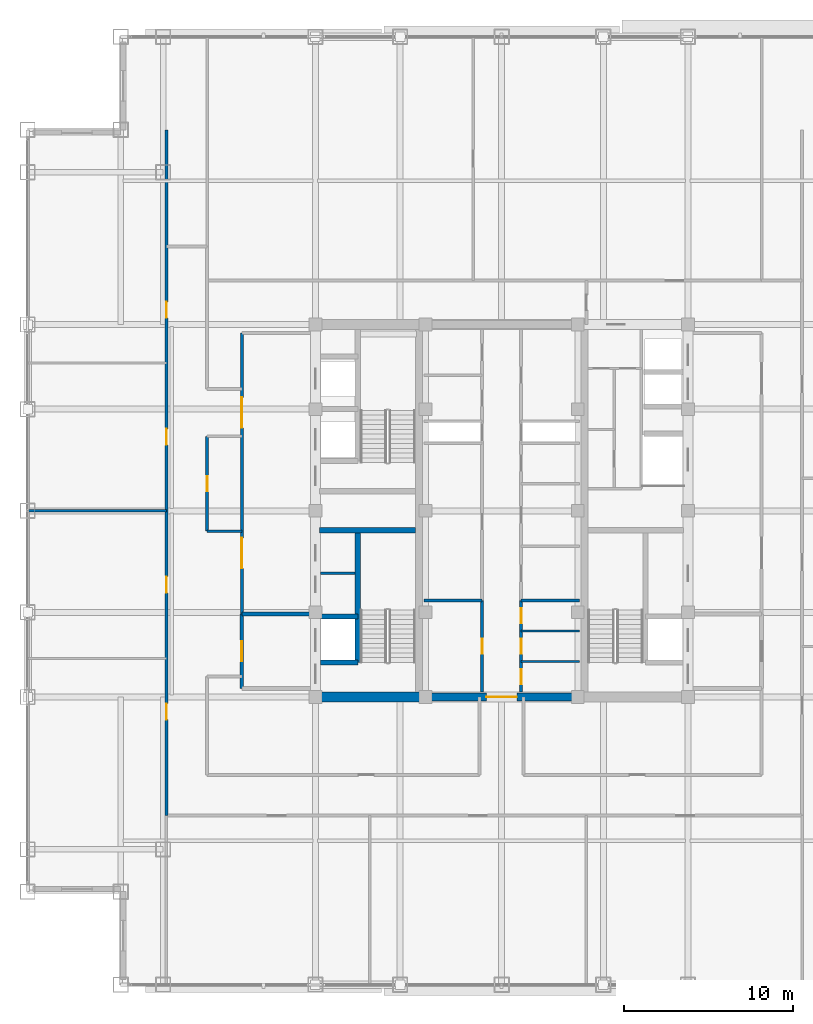
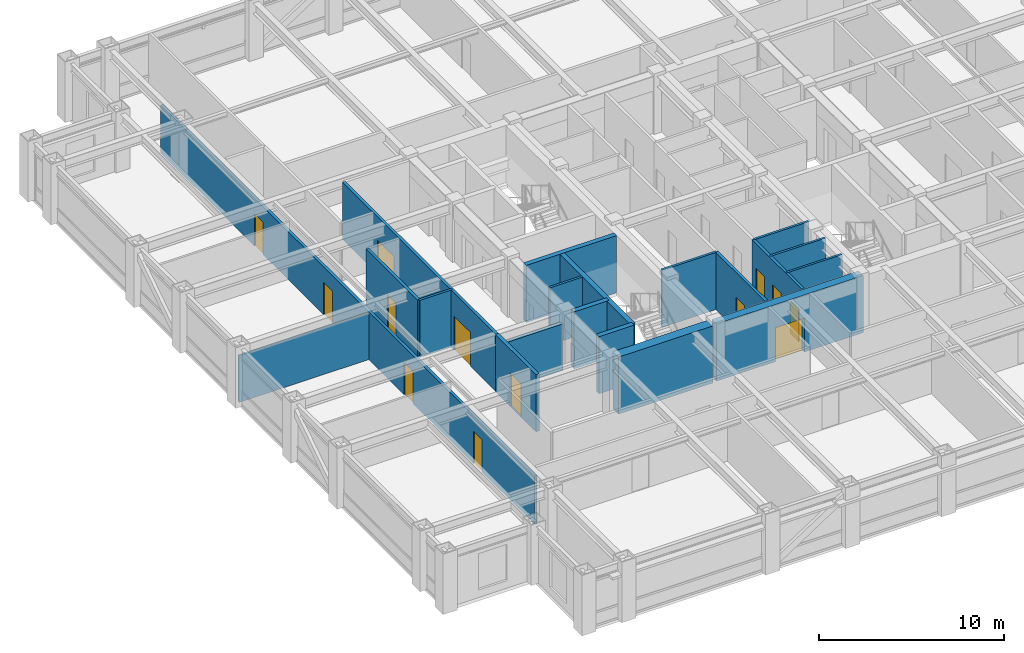
# One storey, part 18 of 27: 20 walls, 13 doors, 13 openings.
"""IFC4 building model written with IfcOpenShell, lengths in metres."""

from ifc_helpers import new_model, si_unit, direction, frame, frame_2d, origin, place, context, subcontext, project, spatial, rectangle, extrude, source, transform, mapped, material, layer, layer_set, type_object, element, fill, save


model = new_model("IFC4")

# Units and contexts
model_context = context("Model", 3, precision=1e-05, world=origin(), true_north=direction((0.0, 1.0)))
body_context = subcontext(model_context, "Body", "Model", "MODEL_VIEW")
ifc_project = project(units=[si_unit("LENGTHUNIT", "METRE"), si_unit("AREAUNIT", "SQUARE_METRE"), si_unit("VOLUMEUNIT", "CUBIC_METRE"), si_unit("PLANEANGLEUNIT", "RADIAN"), si_unit("MASSUNIT", "GRAM", prefix="KILO")], contexts=[model_context])

# Site, building, storey
site_placement = place(None, origin())
site = spatial("IfcSite", under=ifc_project, at=site_placement, CompositionType="ELEMENT")
building_placement = place(site_placement, origin())
building = spatial("IfcBuilding", under=site, at=building_placement, Name="Khorayat Bourse Tower", CompositionType="ELEMENT")
storey_placement = place(building_placement, frame((0.0, 0.0, 313.5)))
storey = spatial("IfcBuildingStorey", under=building, at=storey_placement, Name="L74", CompositionType="ELEMENT", Elevation=313.5)

# Walls
ifc_material_1 = material(Name="Concrete C60/75", Category="concrete")
ifc_layer_1 = layer(ifc_material_1, 0.60009765625)
ifc_layer_set_1 = layer_set([ifc_layer_1], Name="Concrete C60/75")
wall_type_1 = type_object("IfcWallType", Name="WAL-CORE-600", PredefinedType="SHEAR", material=ifc_layer_set_1)
shared_shape_1 = source(origin(), body_context, "Body", "SweptSolid", [
    extrude(rectangle(XDim=5.89990234375, YDim=0.60009765625, at=frame_2d((2.949951171875, 0.0))), origin(), (0.0, 0.0, 1.0), 3.780029296875),
])
wall_1_placement = place(storey_placement, frame((-10.75, -11.0, 0.0), z_axis=(0.0, 0.0, 1.0), x_axis=(1.0, 0.0, 0.0)))
element("IfcWall", 1, at=wall_1_placement, inside=storey, type_object=wall_type_1, Name="L74 Core Shear Wall PIER-WS", PredefinedType="SHEAR", context=body_context, shape_type="MappedRepresentation", body=[
    mapped(shared_shape_1, transform((0.0, 0.0, 0.0), scale=1.0)),
])
ifc_material_2 = material(Name="Concrete C50/60", Category="concrete")
ifc_layer_2 = layer(ifc_material_2, 0.300048828125)
ifc_layer_set_2 = layer_set([ifc_layer_2], Name="Concrete C50/60")
wall_type_2 = type_object("IfcWallType", Name="WAL-SHAFT-300", PredefinedType="SHEAR", material=ifc_layer_set_2)
shared_shape_2 = source(origin(), body_context, "Body", "SweptSolid", [
    extrude(rectangle(XDim=5.64990234375, YDim=0.300048828125, at=frame_2d((2.824951171875, 0.0))), origin(), (0.0, 0.0, 1.0), 3.780029296875),
])
wall_2_placement = place(storey_placement, frame((-10.75, -1.14990234375, 0.0), z_axis=(0.0, 0.0, 1.0), x_axis=(1.0, 0.0, 0.0)))
element("IfcWall", 2, at=wall_2_placement, inside=storey, type_object=wall_type_2, Name="L74 Core Shear Wall ST1-DIV", PredefinedType="SHEAR", context=body_context, shape_type="MappedRepresentation", body=[
    mapped(shared_shape_2, transform((0.0, 0.0, 0.0), scale=1.0)),
])

# Wall, opening, door
ifc_material_3 = material(Name="Concrete C52/65", Category="concrete")
ifc_layer_3 = layer(ifc_material_3, 0.5)
ifc_layer_set_3 = layer_set([ifc_layer_3], Name="Concrete C52/65")
wall_type_3 = type_object("IfcWallType", Name="WAL-CORE-500", PredefinedType="SHEAR", material=ifc_layer_set_3)
shared_shape_3 = source(origin(), body_context, "Body", "SweptSolid", [
    extrude(rectangle(XDim=9.2001953125, YDim=0.5, at=frame_2d((4.60009765625, 0.0))), origin(), (0.0, 0.0, 1.0), 3.780029296875),
])
wall_3_placement = place(storey_placement, frame((-4.60009765625, -11.0, 0.0), z_axis=(0.0, 0.0, 1.0), x_axis=(1.0, 0.0, 0.0)))
wall_3 = element("IfcWall", 3, at=wall_3_placement, inside=storey, type_object=wall_type_3, Name="L74 Core Shear Wall CORE-S", PredefinedType="SHEAR", context=body_context, shape_type="MappedRepresentation", body=[
    mapped(shared_shape_3, transform((0.0, 0.0, 0.0), scale=1.0)),
])
shared_shape_4 = source(origin(), body_context, "Body", "SweptSolid", [
    extrude(rectangle(XDim=1.800048828125, YDim=2.25, at=frame_2d((0.89990234375, 1.125))), frame((0.0, 0.260009765625, 0.0), z_axis=(0.0, -1.0, 0.0), x_axis=(1.0, 0.0, 0.0)), (0.0, 0.0, 1.0), 0.52001953125),
])
opening_1_placement = place(wall_3_placement, frame((3.699951171875, 0.0, 0.0)))
opening_1 = element("IfcOpeningElement", 4, at=opening_1_placement, cuts=wall_3, Name="Opening DI-03", PredefinedType="OPENING", context=body_context, shape_type="MappedRepresentation", body=[
    mapped(shared_shape_4, transform((0.0, 0.0, 0.0), scale=1.0)),
])
ifc_material_4 = material(Name="Fire-rated hardwood vision-panel double leaf", Category="wood")
door_type_1 = type_object("IfcDoorType", Name="DR-INT-CORR-1800", OperationType="NOTDEFINED", PredefinedType="DOOR", material=ifc_material_4)
shared_shape_5 = source(origin(), body_context, "Body", "SweptSolid", [
    extrude(rectangle(XDim=1.800048828125, YDim=2.25, at=frame_2d((0.89990234375, 1.125))), frame((0.0, 0.02490234375, 0.0), z_axis=(0.0, -1.0, 0.0), x_axis=(1.0, 0.0, 0.0)), (0.0, 0.0, 1.0), 0.050048828125),
])
door_1_placement = place(opening_1_placement, origin())
door_1 = element("IfcDoor", 5, at=door_1_placement, inside=storey, type_object=door_type_1, Name="L74 Central Core South Passage Door", OperationType="SINGLE_SWING_LEFT", OverallHeight=2.25, OverallWidth=1.800048828125, PredefinedType="DOOR", context=body_context, shape_type="MappedRepresentation", body=[
    mapped(shared_shape_5, transform((0.0, 0.0, 0.0), scale=1.0)),
])
fill(opening_1, door_1)

# Walls
ifc_material_5 = material(Name="Aerated concrete blockwork", Category="masonry")
ifc_layer_4 = layer(ifc_material_5, 0.219970703125)
ifc_layer_set_4 = layer_set([ifc_layer_4], Name="Aerated concrete blockwork")
wall_type_4 = type_object("IfcWallType", Name="WAL-PART-FF-220", PredefinedType="PARTITIONING", material=ifc_layer_set_4)
shared_shape_6 = source(origin(), body_context, "Body", "SweptSolid", [
    extrude(rectangle(XDim=4.050048828125, YDim=0.219970703125, at=frame_2d((2.02490234375, 0.0))), origin(), (0.0, 0.0, 1.0), 3.0849609375),
])
wall_4_placement = place(storey_placement, frame((-15.35009765625, -6.10009765625, 0.0), z_axis=(0.0, 0.0, 1.0), x_axis=(1.0, 0.0, 0.0)))
element("IfcWall", 6, at=wall_4_placement, inside=storey, type_object=wall_type_4, Name="L74 Partition WAL-L74-FFLW-N", PredefinedType="PARTITIONING", context=body_context, shape_type="MappedRepresentation", body=[
    mapped(shared_shape_6, transform((0.0, 0.0, 0.0), scale=1.0)),
])
shared_shape_7 = source(origin(), body_context, "Body", "SweptSolid", [
    extrude(rectangle(XDim=7.800048828125, YDim=0.300048828125, at=frame_2d((3.89990234375, 0.0))), origin(), (0.0, 0.0, 1.0), 3.780029296875),
])
wall_5_placement = place(storey_placement, frame((-8.5, -8.949951171875, 0.0), z_axis=(0.0, 0.0, 1.0), x_axis=(0.0, 1.0, 0.0)))
element("IfcWall", 7, at=wall_5_placement, inside=storey, type_object=wall_type_2, Name="L74 Partition WAL-L74-WPIER-SP", PredefinedType="SHEAR", context=body_context, shape_type="MappedRepresentation", body=[
    mapped(shared_shape_7, transform((0.0, 0.0, 0.0), scale=1.0)),
])
shared_shape_8 = source(origin(), body_context, "Body", "SweptSolid", [
    extrude(rectangle(XDim=2.199951171875, YDim=0.300048828125, at=frame_2d((1.10009765625, 0.0))), origin(), (0.0, 0.0, 1.0), 3.780029296875),
])
for number, where, z_axis, x_axis, name in (
    (8, (-10.699951171875, -8.949951171875, 0.0), (0.0, 0.0, 1.0), (1.0, 0.0, 0.0), "L74 Partition WAL-L74-WPIER-FF1S"),
    (9, (-10.699951171875, -6.25, 0.0), (0.0, 0.0, 1.0), (1.0, 0.0, 0.0), "L74 Partition WAL-L74-WPIER-FF1N"),
):
    element("IfcWall", number, at=place(storey_placement, frame(where, z_axis=z_axis, x_axis=x_axis)), inside=storey, type_object=wall_type_2, Name=name, PredefinedType="SHEAR", context=body_context, shape_type="MappedRepresentation", body=[
        mapped(shared_shape_8, transform((0.0, 0.0, 0.0), scale=1.0)),
    ])
ifc_material_6 = material(Name="Gypsum plasterboard twin-frame partition")
ifc_layer_5 = layer(ifc_material_6, 0.14990234375)
ifc_layer_set_5 = layer_set([ifc_layer_5], Name="Gypsum plasterboard twin-frame partition")
wall_type_5 = type_object("IfcWallType", Name="WAL-PART-SUITE-150", PredefinedType="PARTITIONING", material=ifc_layer_set_5)
shared_shape_9 = source(origin(), body_context, "Body", "SweptSolid", [
    extrude(rectangle(XDim=2.050048828125, YDim=0.14990234375, at=frame_2d((1.02490234375, 0.0))), origin(), (0.0, 0.0, 1.0), 3.780029296875),
])
wall_6_placement = place(storey_placement, frame((-10.699951171875, -3.699951171875, 0.0), z_axis=(0.0, 0.0, 1.0), x_axis=(1.0, 0.0, 0.0)))
element("IfcWall", 10, at=wall_6_placement, inside=storey, type_object=wall_type_5, Name="L74 Partition WAL-L74-WSRV-D1", PredefinedType="PARTITIONING", context=body_context, shape_type="MappedRepresentation", body=[
    mapped(shared_shape_9, transform((0.0, 0.0, 0.0), scale=1.0)),
])

# Wall, opening, door
shared_shape_10 = source(origin(), body_context, "Body", "SweptSolid", [
    extrude(rectangle(XDim=4.39990234375, YDim=0.219970703125, at=frame_2d((2.199951171875, 0.0))), origin(), (0.0, 0.0, 1.0), 3.780029296875),
])
wall_7_placement = place(storey_placement, frame((-15.35009765625, -10.5, 0.0), z_axis=(0.0, 0.0, 1.0), x_axis=(0.0, 1.0, 0.0)))
wall_7 = element("IfcWall", 11, at=wall_7_placement, inside=storey, type_object=wall_type_4, Name="L74 Partition WAL-L74-FFLW-W", PredefinedType="PARTITIONING", context=body_context, shape_type="MappedRepresentation", body=[
    mapped(shared_shape_10, transform((0.0, 0.0, 0.0), scale=1.0)),
])
shared_shape_11 = source(origin(), body_context, "Body", "SweptSolid", [
    extrude(rectangle(XDim=1.199951171875, YDim=2.199951171875, at=frame_2d((0.60009765625, 1.10009765625))), frame((0.0, 0.119873046875, 0.0), z_axis=(0.0, -1.0, 0.0), x_axis=(1.0, 0.0, 0.0)), (0.0, 0.0, 1.0), 0.239990234375),
])
opening_2_placement = place(wall_7_placement, frame((1.60009765625, 0.0, 0.0)))
opening_2 = element("IfcOpeningElement", 12, at=opening_2_placement, cuts=wall_7, Name="Opening DI-02", PredefinedType="OPENING", context=body_context, shape_type="MappedRepresentation", body=[
    mapped(shared_shape_11, transform((0.0, 0.0, 0.0), scale=1.0)),
])
ifc_material_7 = material(Name="Fire-rated steel double-seal leaf", Category="steel")
door_type_2 = type_object("IfcDoorType", Name="DR-INT-FFLOBBY-1200", OperationType="NOTDEFINED", PredefinedType="DOOR", material=ifc_material_7)
shared_shape_12 = source(origin(), body_context, "Body", "SweptSolid", [
    extrude(rectangle(XDim=1.199951171875, YDim=2.199951171875, at=frame_2d((0.60009765625, 1.10009765625))), frame((0.0, 0.02490234375, 0.0), z_axis=(0.0, -1.0, 0.0), x_axis=(1.0, 0.0, 0.0)), (0.0, 0.0, 1.0), 0.050048828125),
])
door_2_placement = place(opening_2_placement, origin())
door_2 = element("IfcDoor", 13, at=door_2_placement, inside=storey, type_object=door_type_2, Name="L74 West Firefighting Lobby Door", OperationType="SINGLE_SWING_LEFT", OverallHeight=2.199951171875, OverallWidth=1.199951171875, PredefinedType="DOOR", context=body_context, shape_type="MappedRepresentation", body=[
    mapped(shared_shape_12, transform((0.0, 0.0, 0.0), scale=1.0)),
])
fill(opening_2, door_2)

# Wall, openings, doors
ifc_material_8 = material(Name="Gypsum plasterboard acoustic stud wall")
ifc_layer_6 = layer(ifc_material_8, 0.179931640625)
ifc_layer_set_6 = layer_set([ifc_layer_6], Name="Gypsum plasterboard acoustic stud wall")
wall_type_6 = type_object("IfcWallType", Name="WAL-PART-CORR-180", PredefinedType="PARTITIONING", material=ifc_layer_set_6)
shared_shape_13 = source(origin(), body_context, "Body", "SweptSolid", [
    extrude(rectangle(XDim=16.60009765625, YDim=0.179931640625, at=frame_2d((8.300048828125, 0.0))), origin(), (0.0, 0.0, 1.0), 3.780029296875),
])
wall_8_placement = place(storey_placement, frame((-15.35009765625, -6.10009765625, 0.0), z_axis=(0.0, 0.0, 1.0), x_axis=(0.0, 1.0, 0.0)))
wall_8 = element("IfcWall", 14, at=wall_8_placement, inside=storey, type_object=wall_type_6, Name="L74 Partition WAL-L74-WLOB-W", PredefinedType="PARTITIONING", context=body_context, shape_type="MappedRepresentation", body=[
    mapped(shared_shape_13, transform((0.0, 0.0, 0.0), scale=1.0)),
])
shared_shape_14 = source(origin(), body_context, "Body", "SweptSolid", [
    extrude(rectangle(XDim=1.800048828125, YDim=2.25, at=frame_2d((0.89990234375, 1.125))), frame((0.0, 0.099853515625, 0.0), z_axis=(0.0, -1.0, 0.0), x_axis=(1.0, 0.0, 0.0)), (0.0, 0.0, 1.0), 0.199951171875),
])
opening_3_placement = place(wall_8_placement, frame((2.699951171875, 0.0, 0.0)))
opening_3 = element("IfcOpeningElement", 15, at=opening_3_placement, cuts=wall_8, Name="Opening DI-03", PredefinedType="OPENING", context=body_context, shape_type="MappedRepresentation", body=[
    mapped(shared_shape_14, transform((0.0, 0.0, 0.0), scale=1.0)),
])
opening_4_placement = place(wall_8_placement, frame((11.0, 0.0, 0.0)))
opening_4 = element("IfcOpeningElement", 16, at=opening_4_placement, cuts=wall_8, Name="Opening DI-03", PredefinedType="OPENING", context=body_context, shape_type="MappedRepresentation", body=[
    mapped(shared_shape_14, transform((0.0, 0.0, 0.0), scale=1.0)),
])
door_3_placement = place(opening_3_placement, origin())
door_3 = element("IfcDoor", 17, at=door_3_placement, inside=storey, type_object=door_type_1, Name="L74 West Core Lobby South Door", OperationType="SINGLE_SWING_LEFT", OverallHeight=2.25, OverallWidth=1.800048828125, PredefinedType="DOOR", context=body_context, shape_type="MappedRepresentation", body=[
    mapped(shared_shape_5, transform((0.0, 0.0, 0.0), scale=1.0)),
])
fill(opening_3, door_3)
door_4_placement = place(opening_4_placement, origin())
door_4 = element("IfcDoor", 18, at=door_4_placement, inside=storey, type_object=door_type_1, Name="L74 West Core Lobby North Door", OperationType="SINGLE_SWING_RIGHT", OverallHeight=2.25, OverallWidth=1.800048828125, PredefinedType="DOOR", context=body_context, shape_type="MappedRepresentation", body=[
    mapped(shared_shape_5, transform((0.0, 0.0, 0.0), scale=1.0)),
])
fill(opening_4, door_4)

# Walls
shared_shape_15 = source(origin(), body_context, "Body", "SweptSolid", [
    extrude(rectangle(XDim=3.4501953125, YDim=0.14990234375, at=frame_2d((1.72509765625, 0.0))), origin(), (0.0, 0.0, 1.0), 3.780029296875),
])
for number, where, z_axis, x_axis, name in (
    (19, (-4.60009765625, -5.300048828125, 0.0), (0.0, 0.0, 1.0), (1.0, 0.0, 0.0), "L74 Partition WAL-L74-FB1-NW"),
    (20, (1.14990234375, -5.300048828125, 0.0), (0.0, 0.0, 1.0), (1.0, 0.0, 0.0), "L74 Partition WAL-L74-FB1-NE"),
):
    element("IfcWall", number, at=place(storey_placement, frame(where, z_axis=z_axis, x_axis=x_axis)), inside=storey, type_object=wall_type_5, Name=name, PredefinedType="PARTITIONING", context=body_context, shape_type="MappedRepresentation", body=[
        mapped(shared_shape_15, transform((0.0, 0.0, 0.0), scale=1.0)),
    ])

# Wall, opening, door
shared_shape_16 = source(origin(), body_context, "Body", "SweptSolid", [
    extrude(rectangle(XDim=5.39990234375, YDim=0.179931640625, at=frame_2d((2.699951171875, 0.0))), origin(), (0.0, 0.0, 1.0), 3.780029296875),
])
wall_9_placement = place(storey_placement, frame((-1.14990234375, -10.699951171875, 0.0), z_axis=(0.0, 0.0, 1.0), x_axis=(0.0, 1.0, 0.0)))
wall_9 = element("IfcWall", 21, at=wall_9_placement, inside=storey, type_object=wall_type_6, Name="L74 Partition WAL-L74-FB1W-L", PredefinedType="PARTITIONING", context=body_context, shape_type="MappedRepresentation", body=[
    mapped(shared_shape_16, transform((0.0, 0.0, 0.0), scale=1.0)),
])
shared_shape_17 = source(origin(), body_context, "Body", "SweptSolid", [
    extrude(rectangle(XDim=0.89990234375, YDim=2.14990234375, at=frame_2d((0.449951171875, 1.074951171875))), frame((0.0, 0.099853515625, 0.0), z_axis=(0.0, -1.0, 0.0), x_axis=(1.0, 0.0, 0.0)), (0.0, 0.0, 1.0), 0.199951171875),
])
opening_5_placement = place(wall_9_placement, frame((2.25, 0.0, 0.0)))
opening_5 = element("IfcOpeningElement", 22, at=opening_5_placement, cuts=wall_9, Name="Opening DI-06", PredefinedType="OPENING", context=body_context, shape_type="MappedRepresentation", body=[
    mapped(shared_shape_17, transform((0.0, 0.0, 0.0), scale=1.0)),
])
ifc_material_9 = material(Name="Moisture-resistant laminate washroom door")
door_type_3 = type_object("IfcDoorType", Name="DR-INT-WC-900", OperationType="NOTDEFINED", PredefinedType="DOOR", material=ifc_material_9)
shared_shape_18 = source(origin(), body_context, "Body", "SweptSolid", [
    extrude(rectangle(XDim=0.89990234375, YDim=2.14990234375, at=frame_2d((0.449951171875, 1.074951171875))), frame((0.0, 0.02490234375, 0.0), z_axis=(0.0, -1.0, 0.0), x_axis=(1.0, 0.0, 0.0)), (0.0, 0.0, 1.0), 0.050048828125),
])
door_5_placement = place(opening_5_placement, origin())
door_5 = element("IfcDoor", 23, at=door_5_placement, inside=storey, type_object=door_type_3, Name="L74 IT Comms Server Plant Room Door", OperationType="SINGLE_SWING_RIGHT", OverallHeight=2.14990234375, OverallWidth=0.89990234375, PredefinedType="DOOR", context=body_context, shape_type="MappedRepresentation", body=[
    mapped(shared_shape_18, transform((0.0, 0.0, 0.0), scale=1.0)),
])
fill(opening_5, door_5)

# Wall, openings, doors
wall_10_placement = place(storey_placement, frame((1.14990234375, -10.699951171875, 0.0), z_axis=(0.0, 0.0, 1.0), x_axis=(0.0, 1.0, 0.0)))
wall_10 = element("IfcWall", 24, at=wall_10_placement, inside=storey, type_object=wall_type_6, Name="L74 Partition WAL-L74-FB1E-L", PredefinedType="PARTITIONING", context=body_context, shape_type="MappedRepresentation", body=[
    mapped(shared_shape_16, transform((0.0, 0.0, 0.0), scale=1.0)),
])
opening_6_placement = place(wall_10_placement, frame((0.449951171875, 0.0, 0.0)))
opening_6 = element("IfcOpeningElement", 25, at=opening_6_placement, cuts=wall_10, Name="Opening DI-06", PredefinedType="OPENING", context=body_context, shape_type="MappedRepresentation", body=[
    mapped(shared_shape_17, transform((0.0, 0.0, 0.0), scale=1.0)),
])
opening_7_placement = place(wall_10_placement, frame((2.25, 0.0, 0.0)))
opening_7 = element("IfcOpeningElement", 26, at=opening_7_placement, cuts=wall_10, Name="Opening DI-06", PredefinedType="OPENING", context=body_context, shape_type="MappedRepresentation", body=[
    mapped(shared_shape_17, transform((0.0, 0.0, 0.0), scale=1.0)),
])
opening_8_placement = place(wall_10_placement, frame((4.050048828125, 0.0, 0.0)))
opening_8 = element("IfcOpeningElement", 27, at=opening_8_placement, cuts=wall_10, Name="Opening DI-06", PredefinedType="OPENING", context=body_context, shape_type="MappedRepresentation", body=[
    mapped(shared_shape_17, transform((0.0, 0.0, 0.0), scale=1.0)),
])
door_6_placement = place(opening_6_placement, origin())
door_6 = element("IfcDoor", 28, at=door_6_placement, inside=storey, type_object=door_type_3, Name="L74 Stationery Store Door", OperationType="SINGLE_SWING_RIGHT", OverallHeight=2.14990234375, OverallWidth=0.89990234375, PredefinedType="DOOR", context=body_context, shape_type="MappedRepresentation", body=[
    mapped(shared_shape_18, transform((0.0, 0.0, 0.0), scale=1.0)),
])
fill(opening_6, door_6)
door_7_placement = place(opening_7_placement, origin())
door_7 = element("IfcDoor", 29, at=door_7_placement, inside=storey, type_object=door_type_3, Name="L74 Meter Closet Door", OperationType="SINGLE_SWING_LEFT", OverallHeight=2.14990234375, OverallWidth=0.89990234375, PredefinedType="DOOR", context=body_context, shape_type="MappedRepresentation", body=[
    mapped(shared_shape_18, transform((0.0, 0.0, 0.0), scale=1.0)),
])
fill(opening_7, door_7)
door_8_placement = place(opening_8_placement, origin())
door_8 = element("IfcDoor", 30, at=door_8_placement, inside=storey, type_object=door_type_3, Name="L74 Print Room Door", OperationType="SINGLE_SWING_RIGHT", OverallHeight=2.14990234375, OverallWidth=0.89990234375, PredefinedType="DOOR", context=body_context, shape_type="MappedRepresentation", body=[
    mapped(shared_shape_18, transform((0.0, 0.0, 0.0), scale=1.0)),
])
fill(opening_8, door_8)

# Walls
ifc_material_10 = material(Name="Moisture-resistant masonry partition", Category="masonry")
ifc_layer_7 = layer(ifc_material_10, 0.139892578125)
ifc_layer_set_7 = layer_set([ifc_layer_7], Name="Moisture-resistant masonry partition")
wall_type_7 = type_object("IfcWallType", Name="WAL-PART-WET-140", PredefinedType="PARTITIONING", material=ifc_layer_set_7)
shared_shape_19 = source(origin(), body_context, "Body", "SweptSolid", [
    extrude(rectangle(XDim=3.4501953125, YDim=0.139892578125, at=frame_2d((1.72509765625, 0.0))), origin(), (0.0, 0.0, 1.0), 3.780029296875),
])
for number, where, z_axis, x_axis, name in (
    (31, (1.14990234375, -8.89990234375, 0.0), (0.0, 0.0, 1.0), (1.0, 0.0, 0.0), "L74 Partition WAL-L74-FB1E-D1"),
    (32, (1.14990234375, -7.10009765625, 0.0), (0.0, 0.0, 1.0), (1.0, 0.0, 0.0), "L74 Partition WAL-L74-FB1E-D2"),
):
    element("IfcWall", number, at=place(storey_placement, frame(where, z_axis=z_axis, x_axis=x_axis)), inside=storey, type_object=wall_type_7, Name=name, PredefinedType="PARTITIONING", context=body_context, shape_type="MappedRepresentation", body=[
        mapped(shared_shape_19, transform((0.0, 0.0, 0.0), scale=1.0)),
    ])

# Wall, opening, door
shared_shape_20 = source(origin(), body_context, "Body", "SweptSolid", [
    extrude(rectangle(XDim=5.599853515625, YDim=0.179931640625, at=frame_2d((2.7998046875, 0.0))), origin(), (0.0, 0.0, 1.0), 3.780029296875),
])
wall_11_placement = place(storey_placement, frame((-17.39990234375, -1.199951171875, 0.0), z_axis=(0.0, 0.0, 1.0), x_axis=(0.0, 1.0, 0.0)))
wall_11 = element("IfcWall", 33, at=wall_11_placement, inside=storey, type_object=wall_type_6, Name="L74 Partition WAL-L74-PKWM-W", PredefinedType="PARTITIONING", context=body_context, shape_type="MappedRepresentation", body=[
    mapped(shared_shape_20, transform((0.0, 0.0, 0.0), scale=1.0)),
])
opening_9_placement = place(wall_11_placement, frame((2.35009765625, 0.0, 0.0)))
opening_9 = element("IfcOpeningElement", 34, at=opening_9_placement, cuts=wall_11, Name="Opening DI-06", PredefinedType="OPENING", context=body_context, shape_type="MappedRepresentation", body=[
    mapped(shared_shape_17, transform((0.0, 0.0, 0.0), scale=1.0)),
])
door_9_placement = place(opening_9_placement, origin())
door_9 = element("IfcDoor", 35, at=door_9_placement, inside=storey, type_object=door_type_3, Name="L74 West Inboard Focus Door", OperationType="SINGLE_SWING_LEFT", OverallHeight=2.14990234375, OverallWidth=0.89990234375, PredefinedType="DOOR", context=body_context, shape_type="MappedRepresentation", body=[
    mapped(shared_shape_18, transform((0.0, 0.0, 0.0), scale=1.0)),
])
fill(opening_9, door_9)

# Walls
shared_shape_21 = source(origin(), body_context, "Body", "SweptSolid", [
    extrude(rectangle(XDim=2.0498046875, YDim=0.14990234375, at=frame_2d((1.02490234375, 0.0))), origin(), (0.0, 0.0, 1.0), 3.780029296875),
])
wall_12_placement = place(storey_placement, frame((-17.39990234375, -1.199951171875, 0.0), z_axis=(0.0, 0.0, 1.0), x_axis=(1.0, 0.0, 0.0)))
element("IfcWall", 36, at=wall_12_placement, inside=storey, type_object=wall_type_5, Name="L74 Partition WAL-L74-PKWM-S", PredefinedType="PARTITIONING", context=body_context, shape_type="MappedRepresentation", body=[
    mapped(shared_shape_21, transform((0.0, 0.0, 0.0), scale=1.0)),
])
ifc_material_11 = material(Name="Gypsum plasterboard partition")
ifc_layer_8 = layer(ifc_material_11, 0.125)
ifc_layer_set_8 = layer_set([ifc_layer_8], Name="Gypsum plasterboard partition")
wall_type_8 = type_object("IfcWallType", Name="WAL-PART-ROOM-125", PredefinedType="PARTITIONING", material=ifc_layer_set_8)
shared_shape_22 = source(origin(), body_context, "Body", "SweptSolid", [
    extrude(rectangle(XDim=8.199951171875, YDim=0.125, at=frame_2d((4.10009765625, 0.0))), origin(), (0.0, 0.0, 1.0), 3.0849609375),
])
wall_13_placement = place(storey_placement, frame((-28.0, 0.0, 0.0), z_axis=(0.0, 0.0, 1.0), x_axis=(1.0, 0.0, 0.0)))
element("IfcWall", 37, at=wall_13_placement, inside=storey, type_object=wall_type_8, Name="L74 Partition WAL-L74-WDV-2", PredefinedType="PARTITIONING", context=body_context, shape_type="MappedRepresentation", body=[
    mapped(shared_shape_22, transform((0.0, 0.0, 0.0), scale=1.0)),
])

# Wall, openings, doors
shared_shape_23 = source(origin(), body_context, "Body", "SweptSolid", [
    extrude(rectangle(XDim=40.5, YDim=0.179931640625, at=frame_2d((20.25, 0.0))), origin(), (0.0, 0.0, 1.0), 3.1640625),
])
wall_14_placement = place(storey_placement, frame((-19.800048828125, -18.0, 0.0), z_axis=(0.0, 0.0, 1.0), x_axis=(0.0, 1.0, 0.0)))
wall_14 = element("IfcWall", 38, at=wall_14_placement, inside=storey, type_object=wall_type_6, Name="L74 Partition WAL-L74-WCORR", PredefinedType="PARTITIONING", context=body_context, shape_type="MappedRepresentation", body=[
    mapped(shared_shape_23, transform((0.0, 0.0, 0.0), scale=1.0)),
])
shared_shape_24 = source(origin(), body_context, "Body", "SweptSolid", [
    extrude(rectangle(XDim=0.949951171875, YDim=2.14990234375, at=frame_2d((0.47509765625, 1.074951171875))), frame((0.0, 0.099853515625, 0.0), z_axis=(0.0, -1.0, 0.0), x_axis=(1.0, 0.0, 0.0)), (0.0, 0.0, 1.0), 0.199951171875),
])
opening_10_placement = place(wall_14_placement, frame((5.656982421875, 0.0, 0.0)))
opening_10 = element("IfcOpeningElement", 39, at=opening_10_placement, cuts=wall_14, Name="Opening DI-05", PredefinedType="OPENING", context=body_context, shape_type="MappedRepresentation", body=[
    mapped(shared_shape_24, transform((0.0, 0.0, 0.0), scale=1.0)),
])
opening_11_placement = place(wall_14_placement, frame((13.156982421875, 0.0, 0.0)))
opening_11 = element("IfcOpeningElement", 40, at=opening_11_placement, cuts=wall_14, Name="Opening DI-05", PredefinedType="OPENING", context=body_context, shape_type="MappedRepresentation", body=[
    mapped(shared_shape_24, transform((0.0, 0.0, 0.0), scale=1.0)),
])
opening_12_placement = place(wall_14_placement, frame((21.89306640625, 0.0, 0.0)))
opening_12 = element("IfcOpeningElement", 41, at=opening_12_placement, cuts=wall_14, Name="Opening DI-05", PredefinedType="OPENING", context=body_context, shape_type="MappedRepresentation", body=[
    mapped(shared_shape_24, transform((0.0, 0.0, 0.0), scale=1.0)),
])
opening_13_placement = place(wall_14_placement, frame((29.39306640625, 0.0, 0.0)))
opening_13 = element("IfcOpeningElement", 42, at=opening_13_placement, cuts=wall_14, Name="Opening DI-05", PredefinedType="OPENING", context=body_context, shape_type="MappedRepresentation", body=[
    mapped(shared_shape_24, transform((0.0, 0.0, 0.0), scale=1.0)),
])
ifc_material_12 = material(Name="Acoustic oak veneer office door")
door_type_4 = type_object("IfcDoorType", Name="DR-INT-OFFICE-950", OperationType="NOTDEFINED", PredefinedType="DOOR", material=ifc_material_12)
shared_shape_25 = source(origin(), body_context, "Body", "SweptSolid", [
    extrude(rectangle(XDim=0.949951171875, YDim=2.14990234375, at=frame_2d((0.47509765625, 1.074951171875))), frame((0.0, 0.02490234375, 0.0), z_axis=(0.0, -1.0, 0.0), x_axis=(1.0, 0.0, 0.0)), (0.0, 0.0, 1.0), 0.050048828125),
])
door_10_placement = place(opening_10_placement, origin())
door_10 = element("IfcDoor", 43, at=door_10_placement, inside=storey, type_object=door_type_4, Name="L74 Market Committee Conference Room W1 Door", OperationType="SINGLE_SWING_RIGHT", OverallHeight=2.14990234375, OverallWidth=0.949951171875, PredefinedType="DOOR", context=body_context, shape_type="MappedRepresentation", body=[
    mapped(shared_shape_25, transform((0.0, 0.0, 0.0), scale=1.0)),
])
fill(opening_10, door_10)
door_11_placement = place(opening_11_placement, origin())
door_11 = element("IfcDoor", 44, at=door_11_placement, inside=storey, type_object=door_type_4, Name="L74 Market Reference Library W2 Door", OperationType="SINGLE_SWING_LEFT", OverallHeight=2.14990234375, OverallWidth=0.949951171875, PredefinedType="DOOR", context=body_context, shape_type="MappedRepresentation", body=[
    mapped(shared_shape_25, transform((0.0, 0.0, 0.0), scale=1.0)),
])
fill(opening_11, door_11)
door_12_placement = place(opening_12_placement, origin())
door_12 = element("IfcDoor", 45, at=door_12_placement, inside=storey, type_object=door_type_4, Name="L74 Staff Tea Pantry W3 Door", OperationType="SINGLE_SWING_RIGHT", OverallHeight=2.14990234375, OverallWidth=0.949951171875, PredefinedType="DOOR", context=body_context, shape_type="MappedRepresentation", body=[
    mapped(shared_shape_25, transform((0.0, 0.0, 0.0), scale=1.0)),
])
fill(opening_12, door_12)
door_13_placement = place(opening_13_placement, origin())
door_13 = element("IfcDoor", 46, at=door_13_placement, inside=storey, type_object=door_type_4, Name="L74 Public Washrooms and Restrooms W4 Door", OperationType="SINGLE_SWING_LEFT", OverallHeight=2.14990234375, OverallWidth=0.949951171875, PredefinedType="DOOR", context=body_context, shape_type="MappedRepresentation", body=[
    mapped(shared_shape_25, transform((0.0, 0.0, 0.0), scale=1.0)),
])
fill(opening_13, door_13)

save(model, "model.ifc")
